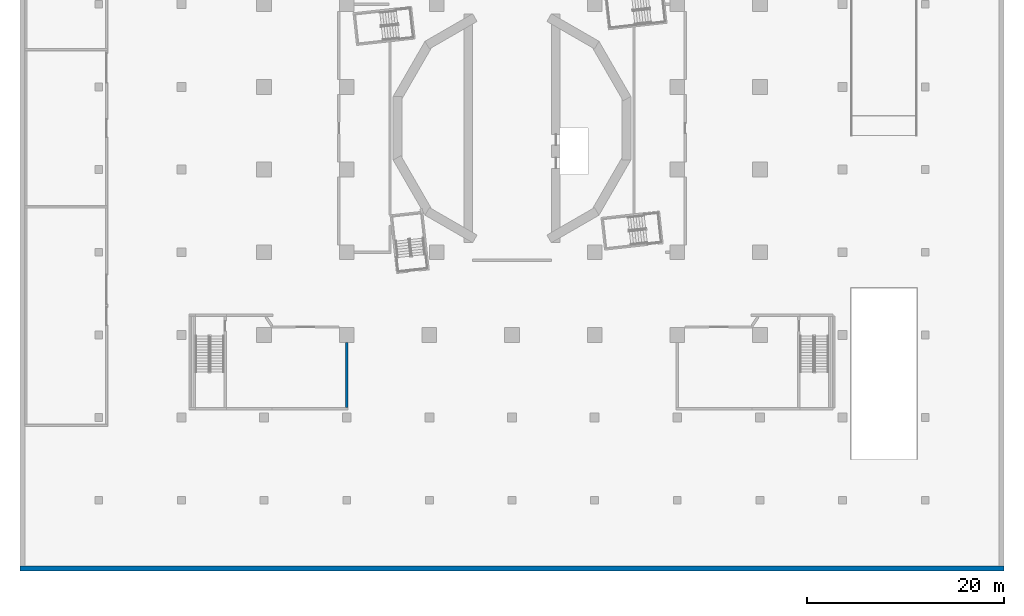
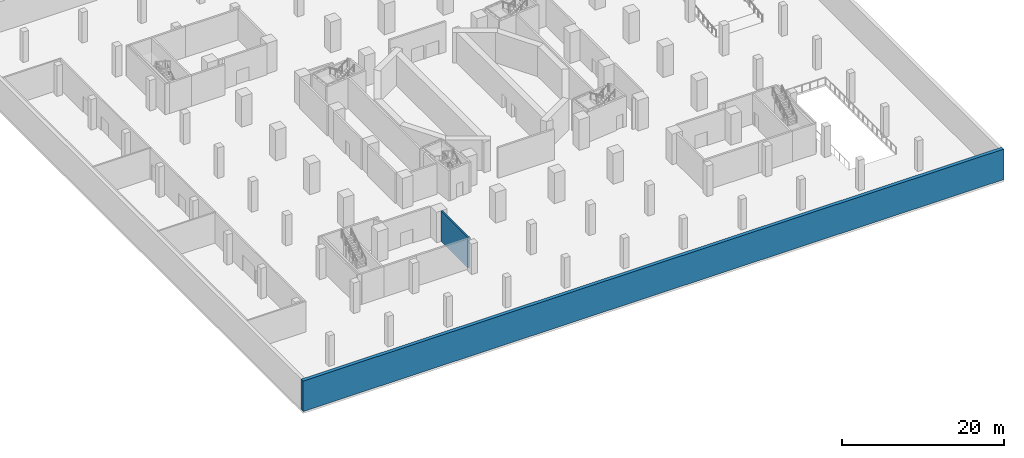
# One storey, part 3 of 20: 2 walls.
"""IFC4 building model written with IfcOpenShell, lengths in metres."""

from ifc_helpers import new_model, si_unit, direction, frame, frame_2d, origin, place, context, subcontext, project, spatial, rectangle, extrude, material, layer, layer_set, type_object, element, save


model = new_model("IFC4")

# Units and contexts
model_context = context("Model", 3, precision=1e-05, world=origin(), true_north=direction((0.0, 1.0)))
body_context = subcontext(model_context, "Body", "Model", "MODEL_VIEW")
ifc_project = project(units=[si_unit("LENGTHUNIT", "METRE"), si_unit("AREAUNIT", "SQUARE_METRE"), si_unit("VOLUMEUNIT", "CUBIC_METRE"), si_unit("PLANEANGLEUNIT", "RADIAN"), si_unit("MASSUNIT", "GRAM", prefix="KILO")], contexts=[model_context])

# Site, building, storey
site_placement = place(None, origin())
site = spatial("IfcSite", under=ifc_project, at=site_placement, CompositionType="ELEMENT")
building_placement = place(site_placement, origin())
building = spatial("IfcBuilding", under=site, at=building_placement, Name="Cantera Rosa Tower", CompositionType="ELEMENT")
storey_placement = place(building_placement, frame((0.0, 0.0, -5.0)))
storey = spatial("IfcBuildingStorey", under=building, at=storey_placement, Name="B1", CompositionType="ELEMENT", Elevation=-5.0)

# Walls
ifc_material_1 = material(Name="Masonry blockwork", Category="masonry")
ifc_layer_1 = layer(ifc_material_1, 0.25)
ifc_layer_set_1 = layer_set([ifc_layer_1], Name="Fire-rated external wall 250")
wall_type_1 = type_object("IfcWallType", Name="Fire-rated external wall 250", PredefinedType="PARTITIONING", material=ifc_layer_set_1)
wall_1_placement = place(storey_placement, frame((-16.800048828125, -28.375, 0.0), z_axis=(0.0, 0.0, 1.0), x_axis=(0.0, 1.0, 0.0)))
element("IfcWall", 1, at=wall_1_placement, inside=storey, type_object=wall_type_1, Name="Fire wall B1-46", PredefinedType="PARTITIONING", context=body_context, shape_type="SweptSolid", body=[
    extrude(rectangle(XDim=6.625, YDim=0.25, at=frame_2d((3.3125, 0.0))), origin(), (0.0, 0.0, 1.0), 4.60009765625),
])
ifc_material_2 = material(Name="Concrete C40/50", Category="concrete")
ifc_layer_2 = layer(ifc_material_2, 0.5)
ifc_layer_set_2 = layer_set([ifc_layer_2], Name="Retaining wall 500")
wall_type_2 = type_object("IfcWallType", Name="Retaining wall 500", PredefinedType="SOLIDWALL", material=ifc_layer_set_2)
wall_2_placement = place(storey_placement, frame((-50.0, -44.75, 0.0), z_axis=(0.0, 0.0, 1.0), x_axis=(1.0, 0.0, 0.0)))
element("IfcWall", 2, at=wall_2_placement, inside=storey, type_object=wall_type_2, Name="Retaining wall S B1", PredefinedType="SOLIDWALL", context=body_context, shape_type="SweptSolid", body=[
    extrude(rectangle(XDim=100.0, YDim=0.5, at=frame_2d((50.0, 0.0))), origin(), (0.0, 0.0, 1.0), 4.60009765625),
])

save(model, "model.ifc")
